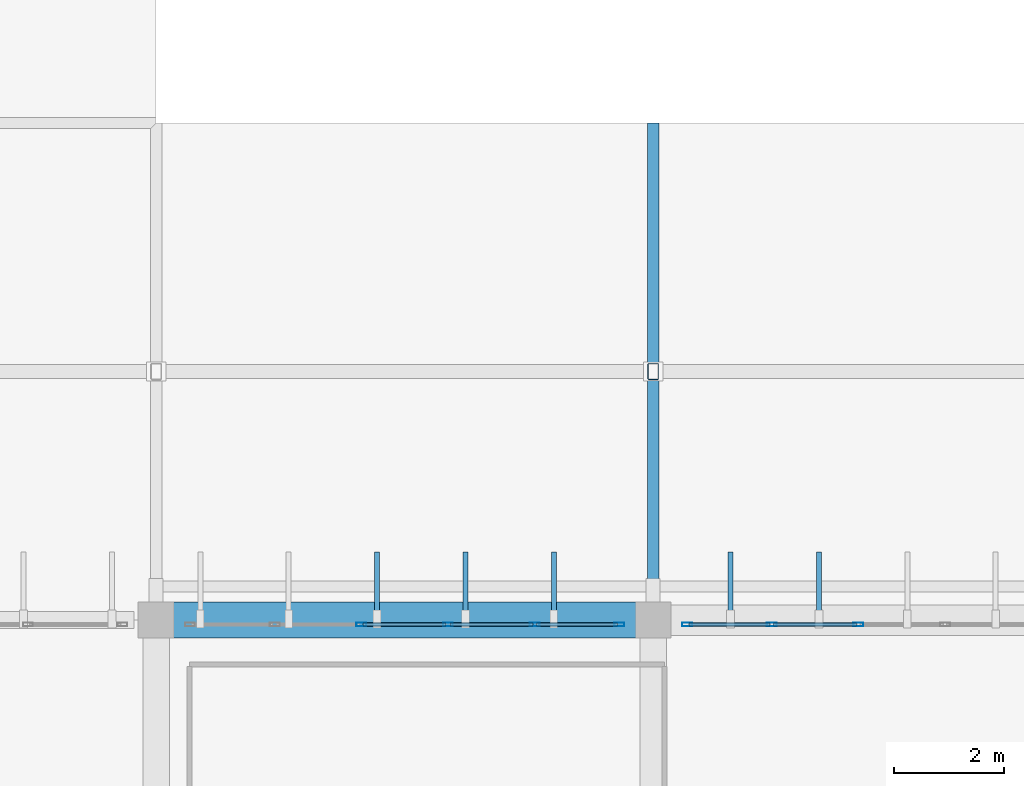
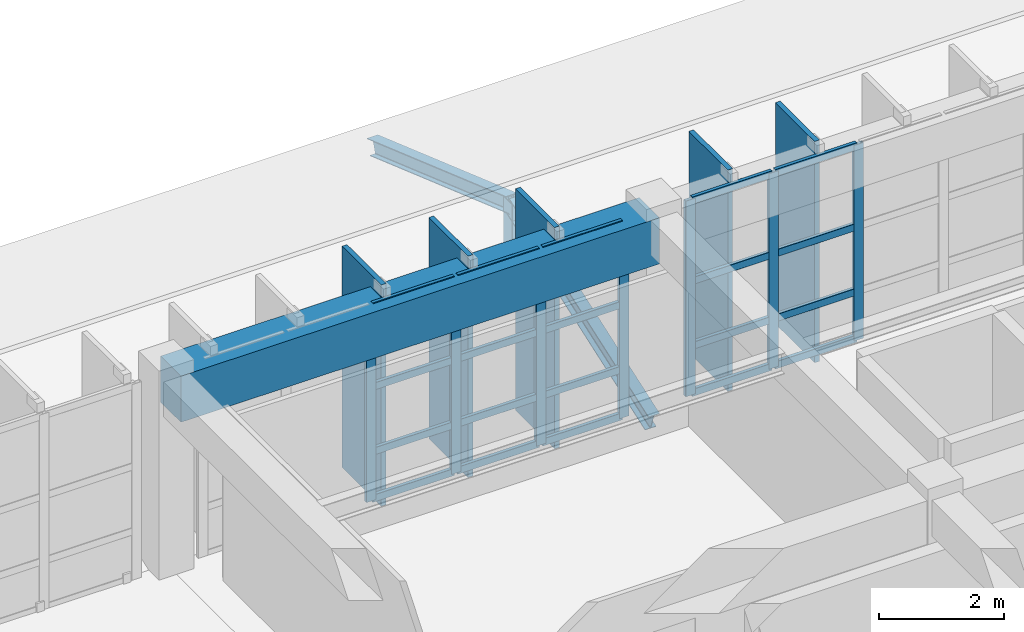
# One storey, part 38 of 80: 35 members, 1 beam, 2 elements without a shape of their own.
"""IFC4 building model written with IfcOpenShell, lengths in metres."""

from ifc_helpers import new_model, si_unit, direction, frame, origin, origin_2d, place, context, subcontext, project, spatial, rectangle, hollow_rectangle, i_section, extrude, material, material_profile, profile_set, type_object, element, aggregate, save


model = new_model("IFC4")

# Units and contexts
model_context = context("Model", 3, precision=1e-05, world=origin(), true_north=direction((0.0, 1.0)))
body_context = subcontext(model_context, "Body", "Model", "MODEL_VIEW")
ifc_project = project(units=[si_unit("LENGTHUNIT", "METRE"), si_unit("AREAUNIT", "SQUARE_METRE"), si_unit("VOLUMEUNIT", "CUBIC_METRE"), si_unit("PLANEANGLEUNIT", "RADIAN"), si_unit("MASSUNIT", "GRAM", prefix="KILO")], contexts=[model_context])

# Site, building, storey
site_placement = place(None, origin())
site = spatial("IfcSite", under=ifc_project, at=site_placement, CompositionType="ELEMENT")
building_placement = place(site_placement, origin())
building = spatial("IfcBuilding", under=site, at=building_placement, Name="Miravela Opera House", CompositionType="ELEMENT")
storey_placement = place(building_placement, frame((0.0, 0.0, 17.679931640625)))
storey = spatial("IfcBuildingStorey", under=building, at=storey_placement, Name="L04", CompositionType="ELEMENT", Elevation=17.679931640625)

# Curtain wall, members
ifc_material_1 = material(Name="Anodised architectural bronze aluminium 6063-T6", Category="aluminium")
curtain_wall_type = type_object("IfcCurtainWallType", Name="ARC-CW-02", PredefinedType="NOTDEFINED", material=ifc_material_1)
curtain_wall_1_placement = place(storey_placement, origin())
curtain_wall_1 = element("IfcCurtainWall", 1, at=curtain_wall_1_placement, inside=storey, type_object=curtain_wall_type, Name="Auditorium North Wrapper Glazing CW-L04-039", PredefinedType="NOTDEFINED")
ifc_material_profile_1 = material_profile(ifc_material_1, hollow_rectangle(XDim=0.06494140625, YDim=0.179931640625, WallThickness=0.00390625, InnerFilletRadius=0.001953125, OuterFilletRadius=0.00390625, at=origin_2d()), Name="CWM-65X180")
ifc_profile_set_1 = profile_set([ifc_material_profile_1])
member_type_1 = type_object("IfcMemberType", Name="ARC-CWM-180", PredefinedType="MULLION", material=ifc_profile_set_1)
member_1_placement = place(storey_placement, frame((30.716064453125, 74.919921875, 0.0), z_axis=(0.0, 0.0, 1.0), x_axis=(0.0, 1.0, 0.0)))
member_1 = element("IfcMember", 2, at=member_1_placement, type_object=member_type_1, Name="CW-02 mullion 3", PredefinedType="MULLION", context=body_context, shape_type="SweptSolid", body=[
    extrude(hollow_rectangle(XDim=0.06494140625, YDim=0.179931640625, WallThickness=0.00390625, InnerFilletRadius=0.001953125, OuterFilletRadius=0.00390625, at=origin_2d()), origin(), (0.0, 0.0, 1.0), 3.820068359375),
])
member_2_placement = place(storey_placement, frame((32.283935546875, 74.919921875, 0.0), z_axis=(0.0, 0.0, 1.0), x_axis=(0.0, 1.0, 0.0)))
member_2 = element("IfcMember", 3, at=member_2_placement, type_object=member_type_1, Name="CW-02 mullion 4", PredefinedType="MULLION", context=body_context, shape_type="SweptSolid", body=[
    extrude(hollow_rectangle(XDim=0.06494140625, YDim=0.179931640625, WallThickness=0.00390625, InnerFilletRadius=0.001953125, OuterFilletRadius=0.00390625, at=origin_2d()), origin(), (0.0, 0.0, 1.0), 3.820068359375),
])
member_3_placement = place(storey_placement, frame((33.85205078125, 74.919921875, 0.0), z_axis=(0.0, 0.0, 1.0), x_axis=(0.0, 1.0, 0.0)))
member_3 = element("IfcMember", 4, at=member_3_placement, type_object=member_type_1, Name="CW-02 mullion 5", PredefinedType="MULLION", context=body_context, shape_type="SweptSolid", body=[
    extrude(hollow_rectangle(XDim=0.06494140625, YDim=0.179931640625, WallThickness=0.00390625, InnerFilletRadius=0.001953125, OuterFilletRadius=0.00390625, at=origin_2d()), origin(), (0.0, 0.0, 1.0), 3.820068359375),
])
member_4_placement = place(storey_placement, frame((35.387451171875, 74.919921875, 0.0), z_axis=(0.0, 0.0, 1.0), x_axis=(0.0, 1.0, 0.0)))
member_4 = element("IfcMember", 5, at=member_4_placement, type_object=member_type_1, Name="CW-02 mullion 6", PredefinedType="MULLION", context=body_context, shape_type="SweptSolid", body=[
    extrude(hollow_rectangle(XDim=0.06494140625, YDim=0.179931640625, WallThickness=0.00390625, InnerFilletRadius=0.001953125, OuterFilletRadius=0.00390625, at=origin_2d()), origin(), (0.0, 0.0, 1.0), 3.820068359375),
])

curtain_wall_2_placement = place(storey_placement, origin())
curtain_wall_2 = element("IfcCurtainWall", 6, at=curtain_wall_2_placement, inside=storey, type_object=curtain_wall_type, Name="Auditorium North Wrapper Glazing CW-L04-041", PredefinedType="NOTDEFINED")
member_5_placement = place(storey_placement, frame((36.612548828125, 74.919921875, 0.0), z_axis=(0.0, 0.0, 1.0), x_axis=(0.0, 1.0, 0.0)))
member_5 = element("IfcMember", 7, at=member_5_placement, type_object=member_type_1, Name="CW-02 mullion 1", PredefinedType="MULLION", context=body_context, shape_type="SweptSolid", body=[
    extrude(hollow_rectangle(XDim=0.06494140625, YDim=0.179931640625, WallThickness=0.00390625, InnerFilletRadius=0.001953125, OuterFilletRadius=0.00390625, at=origin_2d()), origin(), (0.0, 0.0, 1.0), 3.820068359375),
])
member_6_placement = place(storey_placement, frame((38.14794921875, 74.919921875, 0.0), z_axis=(0.0, 0.0, 1.0), x_axis=(0.0, 1.0, 0.0)))
member_6 = element("IfcMember", 8, at=member_6_placement, type_object=member_type_1, Name="CW-02 mullion 2", PredefinedType="MULLION", context=body_context, shape_type="SweptSolid", body=[
    extrude(hollow_rectangle(XDim=0.06494140625, YDim=0.179931640625, WallThickness=0.00390625, InnerFilletRadius=0.001953125, OuterFilletRadius=0.00390625, at=origin_2d()), origin(), (0.0, 0.0, 1.0), 3.820068359375),
])
member_7_placement = place(storey_placement, frame((39.716064453125, 74.919921875, 0.0), z_axis=(0.0, 0.0, 1.0), x_axis=(0.0, 1.0, 0.0)))
member_7 = element("IfcMember", 9, at=member_7_placement, type_object=member_type_1, Name="CW-02 mullion 3", PredefinedType="MULLION", context=body_context, shape_type="SweptSolid", body=[
    extrude(hollow_rectangle(XDim=0.06494140625, YDim=0.179931640625, WallThickness=0.00390625, InnerFilletRadius=0.001953125, OuterFilletRadius=0.00390625, at=origin_2d()), origin(), (0.0, 0.0, 1.0), 3.820068359375),
])

# Member
ifc_material_profile_2 = material_profile(ifc_material_1, hollow_rectangle(XDim=0.06494140625, YDim=0.139892578125, WallThickness=0.00390625, InnerFilletRadius=0.001953125, OuterFilletRadius=0.00390625, at=origin_2d()), Name="CWT-65X140")
ifc_profile_set_2 = profile_set([ifc_material_profile_2])
member_type_2 = type_object("IfcMemberType", Name="ARC-CWT-140", PredefinedType="USERDEFINED", material=ifc_profile_set_2)
member_8_placement = place(storey_placement, frame((30.74853515625, 74.919921875, 0.032470703125), z_axis=(1.0, 0.0, 0.0), x_axis=(0.0, 1.0, 0.0)))
member_8 = element("IfcMember", 10, at=member_8_placement, type_object=member_type_2, Name="CW-02 transom 3.1", ObjectType="TRANSOM", PredefinedType="USERDEFINED", context=body_context, shape_type="SweptSolid", body=[
    extrude(hollow_rectangle(XDim=0.06494140625, YDim=0.139892578125, WallThickness=0.00390625, InnerFilletRadius=0.001953125, OuterFilletRadius=0.00390625, at=origin_2d()), origin(), (0.0, 0.0, 1.0), 1.5029296875),
])

member_9_placement = place(storey_placement, frame((30.74853515625, 74.919921875, 0.949951171875), z_axis=(1.0, 0.0, 0.0), x_axis=(0.0, 1.0, 0.0)))
member_9 = element("IfcMember", 11, at=member_9_placement, type_object=member_type_2, Name="CW-02 transom 3.2", ObjectType="TRANSOM", PredefinedType="USERDEFINED", context=body_context, shape_type="SweptSolid", body=[
    extrude(hollow_rectangle(XDim=0.06494140625, YDim=0.139892578125, WallThickness=0.00390625, InnerFilletRadius=0.001953125, OuterFilletRadius=0.00390625, at=origin_2d()), origin(), (0.0, 0.0, 1.0), 1.5029296875),
])

member_10_placement = place(storey_placement, frame((30.74853515625, 74.919921875, 2.215576171875), z_axis=(1.0, 0.0, 0.0), x_axis=(0.0, 1.0, 0.0)))
member_10 = element("IfcMember", 12, at=member_10_placement, type_object=member_type_2, Name="CW-02 transom 3.3", ObjectType="TRANSOM", PredefinedType="USERDEFINED", context=body_context, shape_type="SweptSolid", body=[
    extrude(hollow_rectangle(XDim=0.06494140625, YDim=0.139892578125, WallThickness=0.00390625, InnerFilletRadius=0.001953125, OuterFilletRadius=0.00390625, at=origin_2d()), origin(), (0.0, 0.0, 1.0), 1.5029296875),
])

member_11_placement = place(storey_placement, frame((30.74853515625, 74.919921875, 3.78759765625), z_axis=(1.0, 0.0, 0.0), x_axis=(0.0, 1.0, 0.0)))
member_11 = element("IfcMember", 13, at=member_11_placement, type_object=member_type_2, Name="CW-02 transom 3.4", ObjectType="TRANSOM", PredefinedType="USERDEFINED", context=body_context, shape_type="SweptSolid", body=[
    extrude(hollow_rectangle(XDim=0.06494140625, YDim=0.139892578125, WallThickness=0.00390625, InnerFilletRadius=0.001953125, OuterFilletRadius=0.00390625, at=origin_2d()), origin(), (0.0, 0.0, 1.0), 1.5029296875),
])

member_12_placement = place(storey_placement, frame((32.31640625, 74.919921875, 0.032470703125), z_axis=(1.0, 0.0, 0.0), x_axis=(0.0, 1.0, 0.0)))
member_12 = element("IfcMember", 14, at=member_12_placement, type_object=member_type_2, Name="CW-02 transom 4.1", ObjectType="TRANSOM", PredefinedType="USERDEFINED", context=body_context, shape_type="SweptSolid", body=[
    extrude(hollow_rectangle(XDim=0.06494140625, YDim=0.139892578125, WallThickness=0.00390625, InnerFilletRadius=0.001953125, OuterFilletRadius=0.00390625, at=origin_2d()), origin(), (0.0, 0.0, 1.0), 1.503173828125),
])

member_13_placement = place(storey_placement, frame((32.31640625, 74.919921875, 0.949951171875), z_axis=(1.0, 0.0, 0.0), x_axis=(0.0, 1.0, 0.0)))
member_13 = element("IfcMember", 15, at=member_13_placement, type_object=member_type_2, Name="CW-02 transom 4.2", ObjectType="TRANSOM", PredefinedType="USERDEFINED", context=body_context, shape_type="SweptSolid", body=[
    extrude(hollow_rectangle(XDim=0.06494140625, YDim=0.139892578125, WallThickness=0.00390625, InnerFilletRadius=0.001953125, OuterFilletRadius=0.00390625, at=origin_2d()), origin(), (0.0, 0.0, 1.0), 1.503173828125),
])

member_14_placement = place(storey_placement, frame((32.31640625, 74.919921875, 2.215576171875), z_axis=(1.0, 0.0, 0.0), x_axis=(0.0, 1.0, 0.0)))
member_14 = element("IfcMember", 16, at=member_14_placement, type_object=member_type_2, Name="CW-02 transom 4.3", ObjectType="TRANSOM", PredefinedType="USERDEFINED", context=body_context, shape_type="SweptSolid", body=[
    extrude(hollow_rectangle(XDim=0.06494140625, YDim=0.139892578125, WallThickness=0.00390625, InnerFilletRadius=0.001953125, OuterFilletRadius=0.00390625, at=origin_2d()), origin(), (0.0, 0.0, 1.0), 1.503173828125),
])

member_15_placement = place(storey_placement, frame((32.31640625, 74.919921875, 3.78759765625), z_axis=(1.0, 0.0, 0.0), x_axis=(0.0, 1.0, 0.0)))
member_15 = element("IfcMember", 17, at=member_15_placement, type_object=member_type_2, Name="CW-02 transom 4.4", ObjectType="TRANSOM", PredefinedType="USERDEFINED", context=body_context, shape_type="SweptSolid", body=[
    extrude(hollow_rectangle(XDim=0.06494140625, YDim=0.139892578125, WallThickness=0.00390625, InnerFilletRadius=0.001953125, OuterFilletRadius=0.00390625, at=origin_2d()), origin(), (0.0, 0.0, 1.0), 1.503173828125),
])

member_16_placement = place(storey_placement, frame((33.884521484375, 74.919921875, 0.032470703125), z_axis=(1.0, 0.0, 0.0), x_axis=(0.0, 1.0, 0.0)))
member_16 = element("IfcMember", 18, at=member_16_placement, type_object=member_type_2, Name="CW-02 transom 5.1", ObjectType="TRANSOM", PredefinedType="USERDEFINED", context=body_context, shape_type="SweptSolid", body=[
    extrude(hollow_rectangle(XDim=0.06494140625, YDim=0.139892578125, WallThickness=0.00390625, InnerFilletRadius=0.001953125, OuterFilletRadius=0.00390625, at=origin_2d()), origin(), (0.0, 0.0, 1.0), 1.470458984375),
])

member_17_placement = place(storey_placement, frame((33.884521484375, 74.919921875, 0.949951171875), z_axis=(1.0, 0.0, 0.0), x_axis=(0.0, 1.0, 0.0)))
member_17 = element("IfcMember", 19, at=member_17_placement, type_object=member_type_2, Name="CW-02 transom 5.2", ObjectType="TRANSOM", PredefinedType="USERDEFINED", context=body_context, shape_type="SweptSolid", body=[
    extrude(hollow_rectangle(XDim=0.06494140625, YDim=0.139892578125, WallThickness=0.00390625, InnerFilletRadius=0.001953125, OuterFilletRadius=0.00390625, at=origin_2d()), origin(), (0.0, 0.0, 1.0), 1.470458984375),
])

member_18_placement = place(storey_placement, frame((33.884521484375, 74.919921875, 2.215576171875), z_axis=(1.0, 0.0, 0.0), x_axis=(0.0, 1.0, 0.0)))
member_18 = element("IfcMember", 20, at=member_18_placement, type_object=member_type_2, Name="CW-02 transom 5.3", ObjectType="TRANSOM", PredefinedType="USERDEFINED", context=body_context, shape_type="SweptSolid", body=[
    extrude(hollow_rectangle(XDim=0.06494140625, YDim=0.139892578125, WallThickness=0.00390625, InnerFilletRadius=0.001953125, OuterFilletRadius=0.00390625, at=origin_2d()), origin(), (0.0, 0.0, 1.0), 1.470458984375),
])

member_19_placement = place(storey_placement, frame((33.884521484375, 74.919921875, 3.78759765625), z_axis=(1.0, 0.0, 0.0), x_axis=(0.0, 1.0, 0.0)))
member_19 = element("IfcMember", 21, at=member_19_placement, type_object=member_type_2, Name="CW-02 transom 5.4", ObjectType="TRANSOM", PredefinedType="USERDEFINED", context=body_context, shape_type="SweptSolid", body=[
    extrude(hollow_rectangle(XDim=0.06494140625, YDim=0.139892578125, WallThickness=0.00390625, InnerFilletRadius=0.001953125, OuterFilletRadius=0.00390625, at=origin_2d()), origin(), (0.0, 0.0, 1.0), 1.470458984375),
])

aggregate(curtain_wall_1, [member_1, member_2, member_3, member_4, member_8, member_9, member_10, member_11, member_12, member_13, member_14, member_15, member_16, member_17, member_18, member_19])

member_20_placement = place(storey_placement, frame((36.64501953125, 74.919921875, 0.032470703125), z_axis=(1.0, 0.0, 0.0), x_axis=(0.0, 1.0, 0.0)))
member_20 = element("IfcMember", 22, at=member_20_placement, type_object=member_type_2, Name="CW-02 transom 1.1", ObjectType="TRANSOM", PredefinedType="USERDEFINED", context=body_context, shape_type="SweptSolid", body=[
    extrude(hollow_rectangle(XDim=0.06494140625, YDim=0.139892578125, WallThickness=0.00390625, InnerFilletRadius=0.001953125, OuterFilletRadius=0.00390625, at=origin_2d()), origin(), (0.0, 0.0, 1.0), 1.470458984375),
])

member_21_placement = place(storey_placement, frame((36.64501953125, 74.919921875, 0.949951171875), z_axis=(1.0, 0.0, 0.0), x_axis=(0.0, 1.0, 0.0)))
member_21 = element("IfcMember", 23, at=member_21_placement, type_object=member_type_2, Name="CW-02 transom 1.2", ObjectType="TRANSOM", PredefinedType="USERDEFINED", context=body_context, shape_type="SweptSolid", body=[
    extrude(hollow_rectangle(XDim=0.06494140625, YDim=0.139892578125, WallThickness=0.00390625, InnerFilletRadius=0.001953125, OuterFilletRadius=0.00390625, at=origin_2d()), origin(), (0.0, 0.0, 1.0), 1.470458984375),
])

member_22_placement = place(storey_placement, frame((36.64501953125, 74.919921875, 2.215576171875), z_axis=(1.0, 0.0, 0.0), x_axis=(0.0, 1.0, 0.0)))
member_22 = element("IfcMember", 24, at=member_22_placement, type_object=member_type_2, Name="CW-02 transom 1.3", ObjectType="TRANSOM", PredefinedType="USERDEFINED", context=body_context, shape_type="SweptSolid", body=[
    extrude(hollow_rectangle(XDim=0.06494140625, YDim=0.139892578125, WallThickness=0.00390625, InnerFilletRadius=0.001953125, OuterFilletRadius=0.00390625, at=origin_2d()), origin(), (0.0, 0.0, 1.0), 1.470458984375),
])

member_23_placement = place(storey_placement, frame((36.64501953125, 74.919921875, 3.78759765625), z_axis=(1.0, 0.0, 0.0), x_axis=(0.0, 1.0, 0.0)))
member_23 = element("IfcMember", 25, at=member_23_placement, type_object=member_type_2, Name="CW-02 transom 1.4", ObjectType="TRANSOM", PredefinedType="USERDEFINED", context=body_context, shape_type="SweptSolid", body=[
    extrude(hollow_rectangle(XDim=0.06494140625, YDim=0.139892578125, WallThickness=0.00390625, InnerFilletRadius=0.001953125, OuterFilletRadius=0.00390625, at=origin_2d()), origin(), (0.0, 0.0, 1.0), 1.470458984375),
])

member_24_placement = place(storey_placement, frame((38.180419921875, 74.919921875, 0.032470703125), z_axis=(1.0, 0.0, 0.0), x_axis=(0.0, 1.0, 0.0)))
member_24 = element("IfcMember", 26, at=member_24_placement, type_object=member_type_2, Name="CW-02 transom 2.1", ObjectType="TRANSOM", PredefinedType="USERDEFINED", context=body_context, shape_type="SweptSolid", body=[
    extrude(hollow_rectangle(XDim=0.06494140625, YDim=0.139892578125, WallThickness=0.00390625, InnerFilletRadius=0.001953125, OuterFilletRadius=0.00390625, at=origin_2d()), origin(), (0.0, 0.0, 1.0), 1.503173828125),
])

member_25_placement = place(storey_placement, frame((38.180419921875, 74.919921875, 0.949951171875), z_axis=(1.0, 0.0, 0.0), x_axis=(0.0, 1.0, 0.0)))
member_25 = element("IfcMember", 27, at=member_25_placement, type_object=member_type_2, Name="CW-02 transom 2.2", ObjectType="TRANSOM", PredefinedType="USERDEFINED", context=body_context, shape_type="SweptSolid", body=[
    extrude(hollow_rectangle(XDim=0.06494140625, YDim=0.139892578125, WallThickness=0.00390625, InnerFilletRadius=0.001953125, OuterFilletRadius=0.00390625, at=origin_2d()), origin(), (0.0, 0.0, 1.0), 1.503173828125),
])

member_26_placement = place(storey_placement, frame((38.180419921875, 74.919921875, 2.215576171875), z_axis=(1.0, 0.0, 0.0), x_axis=(0.0, 1.0, 0.0)))
member_26 = element("IfcMember", 28, at=member_26_placement, type_object=member_type_2, Name="CW-02 transom 2.3", ObjectType="TRANSOM", PredefinedType="USERDEFINED", context=body_context, shape_type="SweptSolid", body=[
    extrude(hollow_rectangle(XDim=0.06494140625, YDim=0.139892578125, WallThickness=0.00390625, InnerFilletRadius=0.001953125, OuterFilletRadius=0.00390625, at=origin_2d()), origin(), (0.0, 0.0, 1.0), 1.503173828125),
])

member_27_placement = place(storey_placement, frame((38.180419921875, 74.919921875, 3.78759765625), z_axis=(1.0, 0.0, 0.0), x_axis=(0.0, 1.0, 0.0)))
member_27 = element("IfcMember", 29, at=member_27_placement, type_object=member_type_2, Name="CW-02 transom 2.4", ObjectType="TRANSOM", PredefinedType="USERDEFINED", context=body_context, shape_type="SweptSolid", body=[
    extrude(hollow_rectangle(XDim=0.06494140625, YDim=0.139892578125, WallThickness=0.00390625, InnerFilletRadius=0.001953125, OuterFilletRadius=0.00390625, at=origin_2d()), origin(), (0.0, 0.0, 1.0), 1.503173828125),
])

aggregate(curtain_wall_2, [member_5, member_6, member_7, member_20, member_21, member_22, member_23, member_24, member_25, member_26, member_27])

# Members
ifc_material_profile_3 = material_profile(ifc_material_1, rectangle(XDim=0.090087890625, YDim=1.25, at=origin_2d()), Name="FIN-1250X90")
ifc_profile_set_3 = profile_set([ifc_material_profile_3])
member_type_3 = type_object("IfcMemberType", Name="ARC-FIN-1250", PredefinedType="USERDEFINED", material=ifc_profile_set_3)
for number, where, z_axis, x_axis, name in (
    (30, (31.0, 75.60498046875, -0.239990234375), (0.0, 0.0, 1.0), (1.0, 0.0, 0.0), "Auditorium Wrapper Bronze Solar Fin FIN-L04-NORTH-0113"),
    (31, (32.60009765625, 75.60498046875, -0.239990234375), (0.0, 0.0, 1.0), (1.0, 0.0, 0.0), "Auditorium Wrapper Bronze Solar Fin FIN-L04-NORTH-0115"),
    (32, (34.199951171875, 75.60498046875, -0.239990234375), (0.0, 0.0, 1.0), (1.0, 0.0, 0.0), "Auditorium Wrapper Bronze Solar Fin FIN-L04-NORTH-0117"),
    (33, (37.39990234375, 75.60498046875, -0.239990234375), (0.0, 0.0, 1.0), (1.0, 0.0, 0.0), "Auditorium Wrapper Bronze Solar Fin FIN-L04-NORTH-0119"),
    (34, (39.0, 75.60498046875, -0.239990234375), (0.0, 0.0, 1.0), (1.0, 0.0, 0.0), "Auditorium Wrapper Bronze Solar Fin FIN-L04-NORTH-0121"),
):
    element("IfcMember", number, at=place(storey_placement, frame(where, z_axis=z_axis, x_axis=x_axis)), inside=storey, type_object=member_type_3, Name=name, ObjectType="FIN", PredefinedType="USERDEFINED", context=body_context, shape_type="SweptSolid", body=[
        extrude(rectangle(XDim=0.090087890625, YDim=1.25, at=origin_2d()), origin(), (0.0, 0.0, 1.0), 4.320068359375),
    ])

# Beam
ifc_material_2 = material(Name="Concrete C40/50", Category="concrete")
ifc_material_profile_4 = material_profile(ifc_material_2, rectangle(XDim=0.64990234375, YDim=0.89990234375, at=origin_2d()), Name="RC-BM-650X900")
ifc_profile_set_4 = profile_set([ifc_material_profile_4])
beam_type = type_object("IfcBeamType", Name="STR-BM-RC650X900", PredefinedType="BEAM", material=ifc_profile_set_4)
beam_placement = place(storey_placement, frame((27.080078125, 75.0, 3.39013671875), z_axis=(1.0, 0.0, 0.0), x_axis=(0.0, 1.0, 0.0)))
element("IfcBeam", 35, at=beam_placement, inside=storey, type_object=beam_type, Name="Floor Girder L04 4-5/I", PredefinedType="BEAM", context=body_context, shape_type="SweptSolid", body=[
    extrude(rectangle(XDim=0.64990234375, YDim=0.89990234375, at=origin_2d()), origin(), (0.0, 0.0, 1.0), 8.83984375),
])

# Members
ifc_material_3 = material(Name="Hollow structural steel ASTM A500 Gr. C", Category="steel")
ifc_material_profile_5 = material_profile(ifc_material_3, hollow_rectangle(XDim=0.199951171875, YDim=0.300048828125, WallThickness=0.011962890625, InnerFilletRadius=0.011962890625, OuterFilletRadius=0.02392578125, at=origin_2d()), Name="HSS300X200X12")
ifc_profile_set_5 = profile_set([ifc_material_profile_5])
member_type_4 = type_object("IfcMemberType", Name="STR-MEM-POST-HSS300X200", PredefinedType="POST", material=ifc_profile_set_5)
member_28_placement = place(storey_placement, frame((36.0, 79.5, -0.25), z_axis=(0.0, 0.0, 1.0), x_axis=(1.0, 0.0, 0.0)))
element("IfcMember", 36, at=member_28_placement, inside=storey, type_object=member_type_4, Name="Roof Ridge Support Post ROOF-V3-WEST-S M2", PredefinedType="POST", context=body_context, shape_type="SweptSolid", body=[
    extrude(hollow_rectangle(XDim=0.199951171875, YDim=0.300048828125, WallThickness=0.011962890625, InnerFilletRadius=0.011962890625, OuterFilletRadius=0.02392578125, at=origin_2d()), origin(), (0.0, 0.0, 1.0), 1.510009765625),
])
ifc_material_4 = material(Name="Structural steel ASTM A992 Gr. 50", Category="steel")
ifc_material_profile_6 = material_profile(ifc_material_4, i_section(OverallWidth=0.2041015625, OverallDepth=0.35009765625, WebThickness=0.008544921875, FlangeThickness=0.01513671875, FilletRadius=0.013916015625, at=origin_2d()), Name="W360X72")
ifc_profile_set_6 = profile_set([ifc_material_profile_6])
member_type_5 = type_object("IfcMemberType", Name="STR-MEM-RAFTER-1", PredefinedType="RAFTER", material=ifc_profile_set_6)
member_29_placement = place(storey_placement, frame((36.0, 75.050048828125, -0.39990234375), z_axis=(0.0, 0.943687918104, 0.3308369889), x_axis=(-1.0, 0.0, 0.0)))
element("IfcMember", 37, at=member_29_placement, inside=storey, type_object=member_type_5, Name="Pitched Roof Rafter ROOF-V3-WEST-S S2", PredefinedType="RAFTER", context=body_context, shape_type="SweptSolid", body=[
    extrude(i_section(OverallWidth=0.2041015625, OverallDepth=0.35009765625, WebThickness=0.008544921875, FlangeThickness=0.01513671875, FilletRadius=0.013916015625, at=origin_2d()), origin(), (0.0, 0.0, 1.0), 4.715576171875),
])
ifc_material_profile_7 = material_profile(ifc_material_4, i_section(OverallWidth=0.202880859375, OverallDepth=0.302978515625, WebThickness=0.007568359375, FlangeThickness=0.01318359375, FilletRadius=0.012939453125, at=origin_2d()), Name="W310X60")
ifc_profile_set_7 = profile_set([ifc_material_profile_7])
member_type_6 = type_object("IfcMemberType", Name="STR-MEM-RAFTER-2", PredefinedType="RAFTER", material=ifc_profile_set_7)
member_30_placement = place(storey_placement, frame((36.0, 83.949951171875, -0.39990234375), z_axis=(0.0, -0.943687918104, 0.3308369889), x_axis=(1.0, 0.0, 0.0)))
element("IfcMember", 38, at=member_30_placement, inside=storey, type_object=member_type_6, Name="Pitched Roof Rafter ROOF-V3-WEST-S N2", PredefinedType="RAFTER", context=body_context, shape_type="SweptSolid", body=[
    extrude(i_section(OverallWidth=0.202880859375, OverallDepth=0.302978515625, WebThickness=0.007568359375, FlangeThickness=0.01318359375, FilletRadius=0.012939453125, at=origin_2d()), origin(), (0.0, 0.0, 1.0), 4.715576171875),
])

save(model, "model.ifc")
